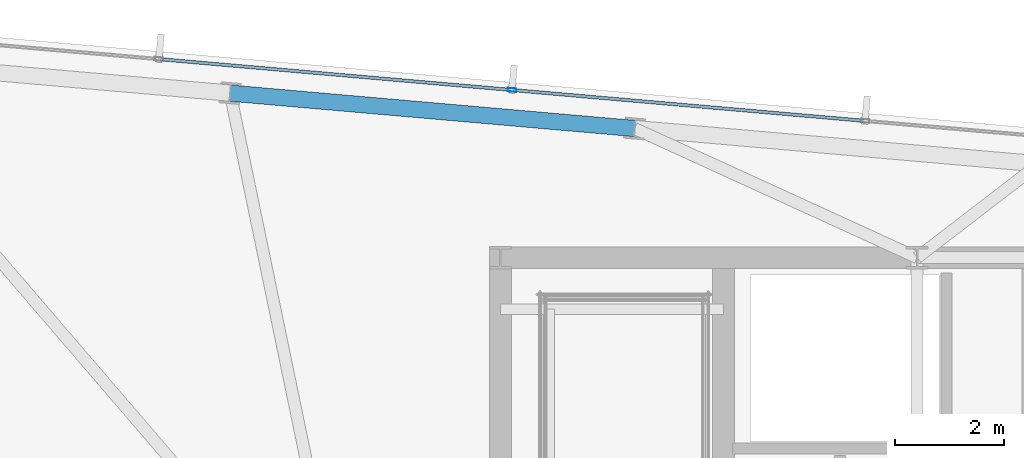
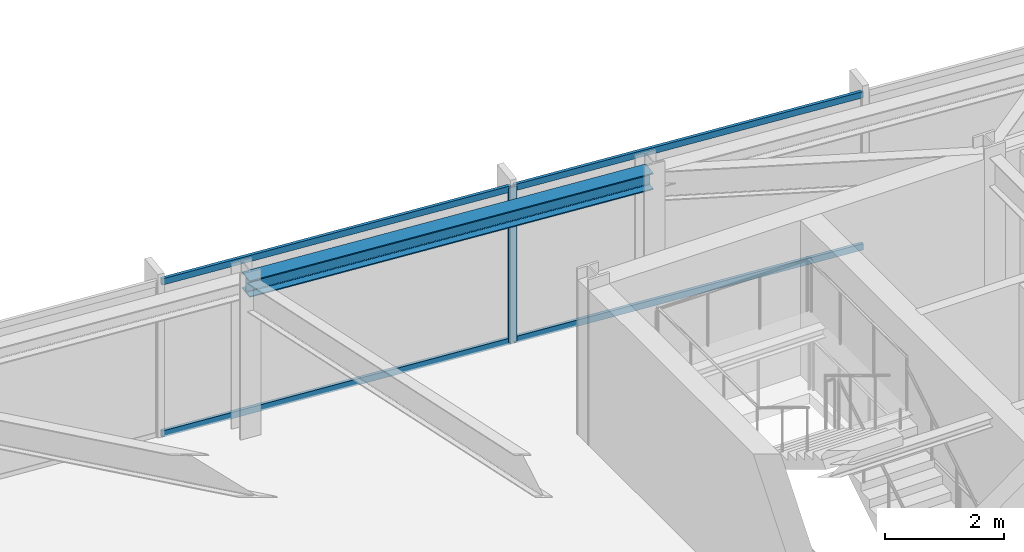
# One storey, part 24 of 32: 5 members, 1 beam, 1 element without a shape of its own.
"""IFC4 building model written with IfcOpenShell, lengths in metres."""

from ifc_helpers import new_model, si_unit, direction, frame, origin, origin_2d, place, context, subcontext, project, spatial, hollow_rectangle, i_section, extrude, material, material_profile, profile_set, type_object, element, aggregate, save


model = new_model("IFC4")

# Units and contexts
model_context = context("Model", 3, precision=1e-05, world=origin(), true_north=direction((0.0, 1.0)))
body_context = subcontext(model_context, "Body", "Model", "MODEL_VIEW")
ifc_project = project(units=[si_unit("LENGTHUNIT", "METRE"), si_unit("AREAUNIT", "SQUARE_METRE"), si_unit("VOLUMEUNIT", "CUBIC_METRE"), si_unit("PLANEANGLEUNIT", "RADIAN"), si_unit("MASSUNIT", "GRAM", prefix="KILO")], contexts=[model_context])

# Site, building, storey
site_placement = place(None, origin())
site = spatial("IfcSite", under=ifc_project, at=site_placement, CompositionType="ELEMENT")
building_placement = place(site_placement, origin())
building = spatial("IfcBuilding", under=site, at=building_placement, Name="Yelkora Congress Tower", CompositionType="ELEMENT")
storey_placement = place(building_placement, frame((0.0, 0.0, 279.5)))
storey = spatial("IfcBuildingStorey", under=building, at=storey_placement, Name="L78", CompositionType="ELEMENT", Elevation=279.5)

# Beam
ifc_material_1 = material(Name="Steel S355J2", Category="steel")
ifc_material_profile_1 = material_profile(ifc_material_1, i_section(OverallWidth=0.300048828125, OverallDepth=0.340087890625, WebThickness=0.011962890625, FlangeThickness=0.021484375, FilletRadius=0.027099609375, at=origin_2d()), Name="HEB 340")
ifc_profile_set_1 = profile_set([ifc_material_profile_1], Name="Steel S355J2")
beam_type = type_object("IfcBeamType", Name="BM-SPAN-HEB340", PredefinedType="SPANDREL", material=ifc_profile_set_1)
beam_placement = place(storey_placement, frame((25.513916015625, 48.57958984375, 3.010009765625), z_axis=(-0.996196266663, 0.087137812034, 0.0), x_axis=(-0.087137812034, -0.996196266663, 0.0)))
element("IfcBeam", 1, at=beam_placement, inside=storey, type_object=beam_type, Name="L78 Perimeter Beam 11", PredefinedType="SPANDREL", context=body_context, shape_type="SweptSolid", body=[
    extrude(i_section(OverallWidth=0.300048828125, OverallDepth=0.340087890625, WebThickness=0.011962890625, FlangeThickness=0.021484375, FilletRadius=0.027099609375, at=origin_2d()), origin(), (0.0, 0.0, 1.0), 7.483642578125),
])

# Curtain wall, members
ifc_material_2 = material(Name="Anodised aluminium and insulated glass", Category="aluminium")
curtain_wall_type = type_object("IfcCurtainWallType", Name="CW-SYS-B5", PredefinedType="NOTDEFINED", material=ifc_material_2)
curtain_wall_placement = place(storey_placement, origin())
curtain_wall = element("IfcCurtainWall", 2, at=curtain_wall_placement, inside=storey, type_object=curtain_wall_type, Name="L78 Unitised Curtain Wall 10", PredefinedType="NOTDEFINED")
ifc_material_3 = material(Name="Anodised aluminium 6063-T6", Category="aluminium")
ifc_material_profile_2 = material_profile(ifc_material_3, hollow_rectangle(XDim=0.06494140625, YDim=0.159912109375, WallThickness=0.00390625, at=origin_2d()), Name="ALU 65x160x4")
ifc_profile_set_2 = profile_set([ifc_material_profile_2], Name="Anodised aluminium 6063-T6")
member_type_1 = type_object("IfcMemberType", Name="MEM-ML-B5", PredefinedType="MULLION", material=ifc_profile_set_2)
member_1_placement = place(storey_placement, frame((23.253173828125, 49.289306640625, 0.0), z_axis=(0.0, 0.0, 1.0), x_axis=(0.087156639893, 0.996194619601, 0.0)))
member_1 = element("IfcMember", 3, at=member_1_placement, type_object=member_type_1, Name="CW-B5 mullion 3", PredefinedType="MULLION", context=body_context, shape_type="SweptSolid", body=[
    extrude(hollow_rectangle(XDim=0.06494140625, YDim=0.159912109375, WallThickness=0.00390625, at=origin_2d()), origin(), (0.0, 0.0, 1.0), 3.179931640625),
])
ifc_material_profile_3 = material_profile(ifc_material_3, hollow_rectangle(XDim=0.06005859375, YDim=0.1298828125, WallThickness=0.00390625, at=origin_2d()), Name="ALU 60x130x4")
ifc_profile_set_3 = profile_set([ifc_material_profile_3], Name="Anodised aluminium 6063-T6")
member_type_2 = type_object("IfcMemberType", Name="MEM-TR-B5", PredefinedType="USERDEFINED", material=ifc_profile_set_3)
member_2_placement = place(storey_placement, frame((16.779052734375, 49.855712890625, 0.030029296875), z_axis=(0.996195971174, -0.087141190126, 0.0), x_axis=(0.087141190126, 0.996195971174, 0.0)))
member_2 = element("IfcMember", 4, at=member_2_placement, type_object=member_type_2, Name="CW-B5 transom 2.1", ObjectType="TRANSOM", PredefinedType="USERDEFINED", context=body_context, shape_type="SweptSolid", body=[
    extrude(hollow_rectangle(XDim=0.06005859375, YDim=0.1298828125, WallThickness=0.00390625, at=origin_2d()), origin(), (0.0, 0.0, 1.0), 6.46630859375),
])
member_3_placement = place(storey_placement, frame((16.779052734375, 49.855712890625, 3.14990234375), z_axis=(0.996195971174, -0.087141190126, 0.0), x_axis=(0.087141190126, 0.996195971174, 0.0)))
member_3 = element("IfcMember", 5, at=member_3_placement, type_object=member_type_2, Name="CW-B5 transom 2.2", ObjectType="TRANSOM", PredefinedType="USERDEFINED", context=body_context, shape_type="SweptSolid", body=[
    extrude(hollow_rectangle(XDim=0.06005859375, YDim=0.1298828125, WallThickness=0.00390625, at=origin_2d()), origin(), (0.0, 0.0, 1.0), 6.46630859375),
])
member_4_placement = place(storey_placement, frame((23.285400390625, 49.286376953125, 0.030029296875), z_axis=(0.996196257862, -0.087137912649, 0.0), x_axis=(0.087137912649, 0.996196257862, 0.0)))
member_4 = element("IfcMember", 6, at=member_4_placement, type_object=member_type_2, Name="CW-B5 transom 3.1", ObjectType="TRANSOM", PredefinedType="USERDEFINED", context=body_context, shape_type="SweptSolid", body=[
    extrude(hollow_rectangle(XDim=0.06005859375, YDim=0.1298828125, WallThickness=0.00390625, at=origin_2d()), origin(), (0.0, 0.0, 1.0), 6.466552734375),
])
member_5_placement = place(storey_placement, frame((23.285400390625, 49.286376953125, 3.14990234375), z_axis=(0.996196257862, -0.087137912649, 0.0), x_axis=(0.087137912649, 0.996196257862, 0.0)))
member_5 = element("IfcMember", 7, at=member_5_placement, type_object=member_type_2, Name="CW-B5 transom 3.2", ObjectType="TRANSOM", PredefinedType="USERDEFINED", context=body_context, shape_type="SweptSolid", body=[
    extrude(hollow_rectangle(XDim=0.06005859375, YDim=0.1298828125, WallThickness=0.00390625, at=origin_2d()), origin(), (0.0, 0.0, 1.0), 6.466552734375),
])
aggregate(curtain_wall, [member_1, member_2, member_3, member_4, member_5])

save(model, "model.ifc")
